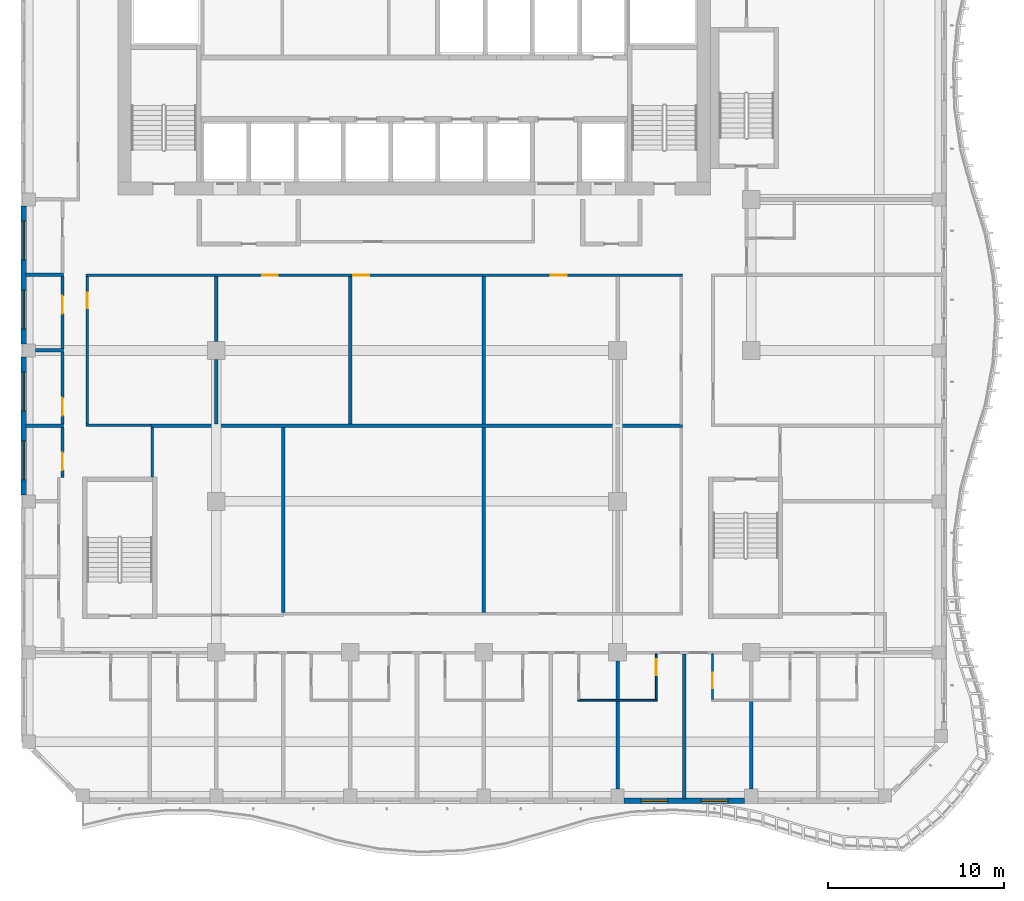
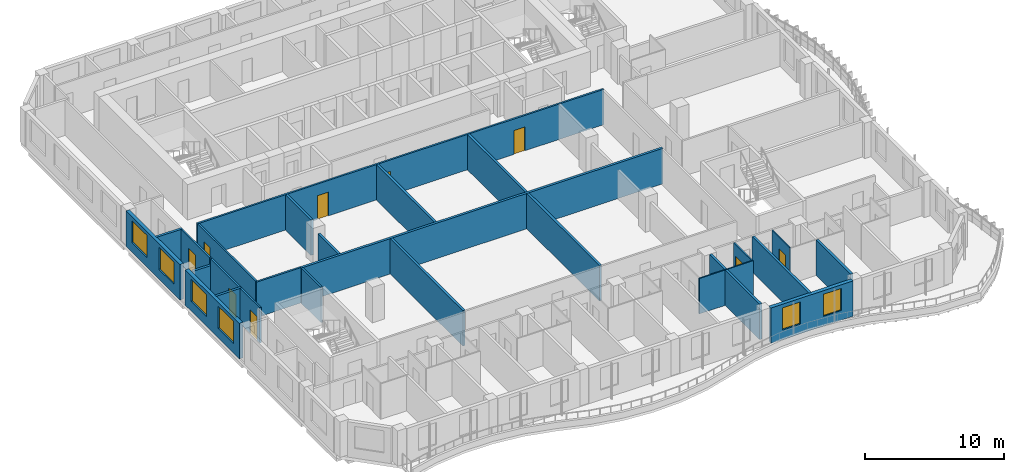
# One storey, part 4 of 23: 27 walls, 9 doors, 6 windows, 15 openings.
"""IFC4 building model written with IfcOpenShell, lengths in metres."""

from ifc_helpers import new_model, si_unit, direction, frame, frame_2d, origin, place, context, subcontext, project, spatial, rectangle, extrude, source, transform, mapped, material, layer, layer_set, type_object, element, fill, save


model = new_model("IFC4")

# Units and contexts
model_context = context("Model", 3, precision=1e-05, world=origin(), true_north=direction((0.0, 1.0)))
body_context = subcontext(model_context, "Body", "Model", "MODEL_VIEW")
ifc_project = project(units=[si_unit("LENGTHUNIT", "METRE"), si_unit("AREAUNIT", "SQUARE_METRE"), si_unit("VOLUMEUNIT", "CUBIC_METRE"), si_unit("PLANEANGLEUNIT", "RADIAN"), si_unit("MASSUNIT", "GRAM", prefix="KILO")], contexts=[model_context])

# Site, building, storey
site_placement = place(None, origin())
site = spatial("IfcSite", under=ifc_project, at=site_placement, CompositionType="ELEMENT")
building_placement = place(site_placement, origin())
building = spatial("IfcBuilding", under=site, at=building_placement, Name="Kilnfold Tower and Market Hall", CompositionType="ELEMENT")
storey_placement = place(building_placement, frame((0.0, 0.0, 203.300048828125)))
storey = spatial("IfcBuildingStorey", under=building, at=storey_placement, Name="L49", CompositionType="ELEMENT", Elevation=203.300048828125)

# Wall, opening, door
ifc_material_1 = material(Name="Gypsum board on steel studs", Category="steel")
ifc_layer_1 = layer(ifc_material_1, 0.14990234375)
ifc_layer_set_1 = layer_set([ifc_layer_1], Name="Gypsum board on steel studs")
wall_type_1 = type_object("IfcWallType", Name="WALL CORRIDOR 150", PredefinedType="PARTITIONING", material=ifc_layer_set_1)
wall_1_placement = place(storey_placement, frame((-18.89990234375, -7.757080078125, 0.0), z_axis=(0.0, 0.0, 1.0), x_axis=(0.0, 1.0, 0.0)))
wall_1 = element("IfcWall", 1, at=wall_1_placement, inside=storey, type_object=wall_type_1, Name="Partition LY30.12", PredefinedType="PARTITIONING", context=body_context, shape_type="SweptSolid", body=[
    extrude(rectangle(XDim=2.823974609375, YDim=0.14990234375, at=frame_2d((1.412109375, 0.0))), origin(), (0.0, 0.0, 1.0), 3.119873046875),
])
opening_1_placement = place(wall_1_placement, frame((0.403076171875, 0.0, 0.0)))
opening_1 = element("IfcOpeningElement", 2, at=opening_1_placement, cuts=wall_1, Name="Opening D4", PredefinedType="OPENING", context=body_context, shape_type="SweptSolid", body=[
    extrude(rectangle(XDim=1.0, YDim=2.10009765625, at=frame_2d((0.5, 1.050048828125))), frame((0.0, 0.0849609375, 0.0), z_axis=(0.0, -1.0, 0.0), x_axis=(1.0, 0.0, 0.0)), (0.0, 0.0, 1.0), 0.169921875),
])
ifc_material_2 = material(Name="Timber veneer door leaf in steel frame", Category="steel")
door_type_1 = type_object("IfcDoorType", Name="DOOR SERVICE 1000 X2100", OperationType="NOTDEFINED", PredefinedType="DOOR", material=ifc_material_2)
door_1_placement = place(opening_1_placement, origin())
door_1 = element("IfcDoor", 3, at=door_1_placement, inside=storey, type_object=door_type_1, Name="Door D4", OperationType="SINGLE_SWING_LEFT", OverallHeight=2.10009765625, OverallWidth=1.0, PredefinedType="DOOR", context=body_context, shape_type="SweptSolid", body=[
    extrude(rectangle(XDim=1.0, YDim=2.10009765625, at=frame_2d((0.5, 1.050048828125))), frame((0.0, 0.02490234375, 0.0), z_axis=(0.0, -1.0, 0.0), x_axis=(1.0, 0.0, 0.0)), (0.0, 0.0, 1.0), 0.050048828125),
])
fill(opening_1, door_1)

wall_2_placement = place(storey_placement, frame((-18.89990234375, -4.7529296875, 0.0), z_axis=(0.0, 0.0, 1.0), x_axis=(0.0, 1.0, 0.0)))
wall_2 = element("IfcWall", 4, at=wall_2_placement, inside=storey, type_object=wall_type_1, Name="Partition LY30.14", PredefinedType="PARTITIONING", context=body_context, shape_type="SweptSolid", body=[
    extrude(rectangle(XDim=4.100830078125, YDim=0.14990234375, at=frame_2d((2.05029296875, 0.0))), origin(), (0.0, 0.0, 1.0), 3.119873046875),
])
opening_2_placement = place(wall_2_placement, frame((0.5, 0.0, 0.0)))
opening_2 = element("IfcOpeningElement", 5, at=opening_2_placement, cuts=wall_2, Name="Opening D4", PredefinedType="OPENING", context=body_context, shape_type="SweptSolid", body=[
    extrude(rectangle(XDim=1.0, YDim=2.10009765625, at=frame_2d((0.5, 1.050048828125))), frame((0.0, 0.0849609375, 0.0), z_axis=(0.0, -1.0, 0.0), x_axis=(1.0, 0.0, 0.0)), (0.0, 0.0, 1.0), 0.169921875),
])
door_2_placement = place(opening_2_placement, origin())
door_2 = element("IfcDoor", 6, at=door_2_placement, inside=storey, type_object=door_type_1, Name="Door D4", OperationType="SINGLE_SWING_LEFT", OverallHeight=2.10009765625, OverallWidth=1.0, PredefinedType="DOOR", context=body_context, shape_type="SweptSolid", body=[
    extrude(rectangle(XDim=1.0, YDim=2.10009765625, at=frame_2d((0.5, 1.050048828125))), frame((0.0, 0.02490234375, 0.0), z_axis=(0.0, -1.0, 0.0), x_axis=(1.0, 0.0, 0.0)), (0.0, 0.0, 1.0), 0.050048828125),
])
fill(opening_2, door_2)

wall_3_placement = place(storey_placement, frame((-18.89990234375, -0.471923828125, 0.0), z_axis=(0.0, 0.0, 1.0), x_axis=(0.0, 1.0, 0.0)))
wall_3 = element("IfcWall", 7, at=wall_3_placement, inside=storey, type_object=wall_type_1, Name="Partition LY30.15", PredefinedType="PARTITIONING", context=body_context, shape_type="SweptSolid", body=[
    extrude(rectangle(XDim=4.100830078125, YDim=0.14990234375, at=frame_2d((2.05029296875, 0.0))), origin(), (0.0, 0.0, 1.0), 3.119873046875),
])
opening_3_placement = place(wall_3_placement, frame((2.0009765625, 0.0, 0.0)))
opening_3 = element("IfcOpeningElement", 8, at=opening_3_placement, cuts=wall_3, Name="Opening D4", PredefinedType="OPENING", context=body_context, shape_type="SweptSolid", body=[
    extrude(rectangle(XDim=1.0, YDim=2.10009765625, at=frame_2d((0.5, 1.050048828125))), frame((0.0, 0.0849609375, 0.0), z_axis=(0.0, -1.0, 0.0), x_axis=(1.0, 0.0, 0.0)), (0.0, 0.0, 1.0), 0.169921875),
])
door_3_placement = place(opening_3_placement, origin())
door_3 = element("IfcDoor", 9, at=door_3_placement, inside=storey, type_object=door_type_1, Name="Door D4", OperationType="SINGLE_SWING_RIGHT", OverallHeight=2.10009765625, OverallWidth=1.0, PredefinedType="DOOR", context=body_context, shape_type="SweptSolid", body=[
    extrude(rectangle(XDim=1.0, YDim=2.10009765625, at=frame_2d((0.5, 1.050048828125))), frame((0.0, 0.02490234375, 0.0), z_axis=(0.0, -1.0, 0.0), x_axis=(1.0, 0.0, 0.0)), (0.0, 0.0, 1.0), 0.050048828125),
])
fill(opening_3, door_3)

# Wall
wall_4_placement = place(storey_placement, frame((-17.574951171875, -4.800048828125, 0.0), z_axis=(0.0, 0.0, 1.0), x_axis=(1.0, 0.0, 0.0)))
element("IfcWall", 10, at=wall_4_placement, inside=storey, type_object=wall_type_1, Name="Partition LY30.34", PredefinedType="PARTITIONING", context=body_context, shape_type="SweptSolid", body=[
    extrude(rectangle(XDim=3.701904296875, YDim=0.14990234375, at=frame_2d((1.85107421875, 0.0))), origin(), (0.0, 0.0, 1.0), 3.119873046875),
])

# Wall, openings, doors
wall_5_placement = place(storey_placement, frame((-17.574951171875, 3.699951171875, 0.0), z_axis=(0.0, 0.0, 1.0), x_axis=(1.0, 0.0, 0.0)))
wall_5 = element("IfcWall", 11, at=wall_5_placement, inside=storey, type_object=wall_type_1, Name="Partition LY30.35", PredefinedType="PARTITIONING", context=body_context, shape_type="SweptSolid", body=[
    extrude(rectangle(XDim=33.849853515625, YDim=0.14990234375, at=frame_2d((16.9248046875, 0.0))), origin(), (0.0, 0.0, 1.0), 3.119873046875),
])
opening_4_placement = place(wall_5_placement, frame((10.0, 0.0, 0.0)))
opening_4 = element("IfcOpeningElement", 12, at=opening_4_placement, cuts=wall_5, Name="Opening D2", PredefinedType="OPENING", context=body_context, shape_type="SweptSolid", body=[
    extrude(rectangle(XDim=0.89990234375, YDim=2.10009765625, at=frame_2d((0.449951171875, 1.050048828125))), frame((0.0, 0.0849609375, 0.0), z_axis=(0.0, -1.0, 0.0), x_axis=(1.0, 0.0, 0.0)), (0.0, 0.0, 1.0), 0.169921875),
])
opening_5_placement = place(wall_5_placement, frame((15.181884765625, 0.0, 0.0)))
opening_5 = element("IfcOpeningElement", 13, at=opening_5_placement, cuts=wall_5, Name="Opening D2", PredefinedType="OPENING", context=body_context, shape_type="SweptSolid", body=[
    extrude(rectangle(XDim=0.89990234375, YDim=2.10009765625, at=frame_2d((0.449951171875, 1.050048828125))), frame((0.0, 0.0849609375, 0.0), z_axis=(0.0, -1.0, 0.0), x_axis=(1.0, 0.0, 0.0)), (0.0, 0.0, 1.0), 0.169921875),
])
opening_6_placement = place(wall_5_placement, frame((26.366943359375, 0.0, 0.0)))
opening_6 = element("IfcOpeningElement", 14, at=opening_6_placement, cuts=wall_5, Name="Opening D2", PredefinedType="OPENING", context=body_context, shape_type="SweptSolid", body=[
    extrude(rectangle(XDim=0.89990234375, YDim=2.10009765625, at=frame_2d((0.449951171875, 1.050048828125))), frame((0.0, 0.0849609375, 0.0), z_axis=(0.0, -1.0, 0.0), x_axis=(1.0, 0.0, 0.0)), (0.0, 0.0, 1.0), 0.169921875),
])
ifc_material_3 = material(Name="Timber veneer door leaf in steel frame", Category="steel")
door_type_2 = type_object("IfcDoorType", Name="DOOR ROOM 900 X2100", OperationType="NOTDEFINED", PredefinedType="DOOR", material=ifc_material_3)
door_4_placement = place(opening_4_placement, origin())
door_4 = element("IfcDoor", 15, at=door_4_placement, inside=storey, type_object=door_type_2, Name="Door D2", OperationType="SINGLE_SWING_LEFT", OverallHeight=2.10009765625, OverallWidth=0.89990234375, PredefinedType="DOOR", context=body_context, shape_type="SweptSolid", body=[
    extrude(rectangle(XDim=0.89990234375, YDim=2.10009765625, at=frame_2d((0.449951171875, 1.050048828125))), frame((0.0, 0.02490234375, 0.0), z_axis=(0.0, -1.0, 0.0), x_axis=(1.0, 0.0, 0.0)), (0.0, 0.0, 1.0), 0.050048828125),
])
fill(opening_4, door_4)
door_5_placement = place(opening_5_placement, origin())
door_5 = element("IfcDoor", 16, at=door_5_placement, inside=storey, type_object=door_type_2, Name="Door D2", OperationType="SINGLE_SWING_LEFT", OverallHeight=2.10009765625, OverallWidth=0.89990234375, PredefinedType="DOOR", context=body_context, shape_type="SweptSolid", body=[
    extrude(rectangle(XDim=0.89990234375, YDim=2.10009765625, at=frame_2d((0.449951171875, 1.050048828125))), frame((0.0, 0.02490234375, 0.0), z_axis=(0.0, -1.0, 0.0), x_axis=(1.0, 0.0, 0.0)), (0.0, 0.0, 1.0), 0.050048828125),
])
fill(opening_5, door_5)
door_6_placement = place(opening_6_placement, origin())
door_6 = element("IfcDoor", 17, at=door_6_placement, inside=storey, type_object=door_type_2, Name="Door D2", OperationType="SINGLE_SWING_LEFT", OverallHeight=2.10009765625, OverallWidth=0.89990234375, PredefinedType="DOOR", context=body_context, shape_type="SweptSolid", body=[
    extrude(rectangle(XDim=0.89990234375, YDim=2.10009765625, at=frame_2d((0.449951171875, 1.050048828125))), frame((0.0, 0.02490234375, 0.0), z_axis=(0.0, -1.0, 0.0), x_axis=(1.0, 0.0, 0.0)), (0.0, 0.0, 1.0), 0.050048828125),
])
fill(opening_6, door_6)

# Wall, opening, door
wall_6_placement = place(storey_placement, frame((-17.5, -4.72509765625, 0.0), z_axis=(0.0, 0.0, 1.0), x_axis=(0.0, 1.0, 0.0)))
wall_6 = element("IfcWall", 18, at=wall_6_placement, inside=storey, type_object=wall_type_1, Name="Partition LY30.36", PredefinedType="PARTITIONING", context=body_context, shape_type="SweptSolid", body=[
    extrude(rectangle(XDim=8.35009765625, YDim=0.14990234375, at=frame_2d((4.175048828125, 0.0))), origin(), (0.0, 0.0, 1.0), 3.119873046875),
])
opening_7_placement = place(wall_6_placement, frame((6.544921875, 0.0, 0.0)))
opening_7 = element("IfcOpeningElement", 19, at=opening_7_placement, cuts=wall_6, Name="Opening D2", PredefinedType="OPENING", context=body_context, shape_type="SweptSolid", body=[
    extrude(rectangle(XDim=0.89990234375, YDim=2.10009765625, at=frame_2d((0.449951171875, 1.050048828125))), frame((0.0, 0.0849609375, 0.0), z_axis=(0.0, -1.0, 0.0), x_axis=(1.0, 0.0, 0.0)), (0.0, 0.0, 1.0), 0.169921875),
])
door_7_placement = place(opening_7_placement, origin())
door_7 = element("IfcDoor", 20, at=door_7_placement, inside=storey, type_object=door_type_2, Name="Door D2", OperationType="SINGLE_SWING_RIGHT", OverallHeight=2.10009765625, OverallWidth=0.89990234375, PredefinedType="DOOR", context=body_context, shape_type="SweptSolid", body=[
    extrude(rectangle(XDim=0.89990234375, YDim=2.10009765625, at=frame_2d((0.449951171875, 1.050048828125))), frame((0.0, 0.02490234375, 0.0), z_axis=(0.0, -1.0, 0.0), x_axis=(1.0, 0.0, 0.0)), (0.0, 0.0, 1.0), 0.050048828125),
])
fill(opening_7, door_7)

# Walls
wall_7_placement = place(storey_placement, frame((-13.800048828125, -7.75, 0.0), z_axis=(0.0, 0.0, 1.0), x_axis=(0.0, 1.0, 0.0)))
element("IfcWall", 21, at=wall_7_placement, inside=storey, type_object=wall_type_1, Name="Partition LY30.38", PredefinedType="PARTITIONING", context=body_context, shape_type="SweptSolid", body=[
    extrude(rectangle(XDim=2.81689453125, YDim=0.14990234375, at=frame_2d((1.408447265625, 0.0))), origin(), (0.0, 0.0, 1.0), 3.119873046875),
])
ifc_material_4 = material(Name="Gypsum board on steel studs", Category="steel")
ifc_layer_2 = layer(ifc_material_4, 0.10009765625)
ifc_layer_set_2 = layer_set([ifc_layer_2], Name="Gypsum board on steel studs")
wall_type_2 = type_object("IfcWallType", Name="WALL PARTITION 100", PredefinedType="PARTITIONING", material=ifc_layer_set_2)
wall_8_placement = place(storey_placement, frame((10.3330078125, -20.402099609375, 0.0), z_axis=(0.0, 0.0, 1.0), x_axis=(1.0, 0.0, 0.0)))
element("IfcWall", 22, at=wall_8_placement, inside=storey, type_object=wall_type_2, Name="Partition LY30.66", PredefinedType="PARTITIONING", context=body_context, shape_type="SweptSolid", body=[
    extrude(rectangle(XDim=4.5, YDim=0.10009765625, at=frame_2d((2.25, 0.0))), origin(), (0.0, 0.0, 1.0), 3.119873046875),
])

# Wall, opening, door
wall_9_placement = place(storey_placement, frame((14.782958984375, -17.777099609375, 0.0), z_axis=(0.0, 0.0, 1.0), x_axis=(0.0, -1.0, 0.0)))
wall_9 = element("IfcWall", 23, at=wall_9_placement, inside=storey, type_object=wall_type_2, Name="Partition LY30.69", PredefinedType="PARTITIONING", context=body_context, shape_type="SweptSolid", body=[
    extrude(rectangle(XDim=2.574951171875, YDim=0.10009765625, at=frame_2d((1.28759765625, 0.0))), origin(), (0.0, 0.0, 1.0), 3.119873046875),
])
opening_8_placement = place(wall_9_placement, frame((0.305908203125, 0.0, 0.0)))
opening_8 = element("IfcOpeningElement", 24, at=opening_8_placement, cuts=wall_9, Name="Opening D3", PredefinedType="OPENING", context=body_context, shape_type="SweptSolid", body=[
    extrude(rectangle(XDim=0.89990234375, YDim=2.10009765625, at=frame_2d((0.449951171875, 1.050048828125))), frame((0.0, 0.06005859375, 0.0), z_axis=(0.0, -1.0, 0.0), x_axis=(1.0, 0.0, 0.0)), (0.0, 0.0, 1.0), 0.1201171875),
])
ifc_material_5 = material(Name="Timber veneer door leaf in steel frame", Category="steel")
door_type_3 = type_object("IfcDoorType", Name="DOOR WC 900 X2100", OperationType="NOTDEFINED", PredefinedType="DOOR", material=ifc_material_5)
door_8_placement = place(opening_8_placement, origin())
door_8 = element("IfcDoor", 25, at=door_8_placement, inside=storey, type_object=door_type_3, Name="Door D3", OperationType="SINGLE_SWING_RIGHT", OverallHeight=2.10009765625, OverallWidth=0.89990234375, PredefinedType="DOOR", context=body_context, shape_type="SweptSolid", body=[
    extrude(rectangle(XDim=0.89990234375, YDim=2.10009765625, at=frame_2d((0.449951171875, 1.050048828125))), frame((0.0, 0.02490234375, 0.0), z_axis=(0.0, -1.0, 0.0), x_axis=(1.0, 0.0, 0.0)), (0.0, 0.0, 1.0), 0.050048828125),
])
fill(opening_8, door_8)

wall_10_placement = place(storey_placement, frame((17.967041015625, -20.35205078125, 0.0), z_axis=(0.0, 0.0, 1.0), x_axis=(0.0, 1.0, 0.0)))
wall_10 = element("IfcWall", 26, at=wall_10_placement, inside=storey, type_object=wall_type_2, Name="Partition LY30.71", PredefinedType="PARTITIONING", context=body_context, shape_type="SweptSolid", body=[
    extrude(rectangle(XDim=2.574951171875, YDim=0.10009765625, at=frame_2d((1.28759765625, 0.0))), origin(), (0.0, 0.0, 1.0), 3.119873046875),
])
opening_9_placement = place(wall_10_placement, frame((0.625, 0.0, 0.0)))
opening_9 = element("IfcOpeningElement", 27, at=opening_9_placement, cuts=wall_10, Name="Opening D3", PredefinedType="OPENING", context=body_context, shape_type="SweptSolid", body=[
    extrude(rectangle(XDim=0.89990234375, YDim=2.10009765625, at=frame_2d((0.449951171875, 1.050048828125))), frame((0.0, 0.06005859375, 0.0), z_axis=(0.0, -1.0, 0.0), x_axis=(1.0, 0.0, 0.0)), (0.0, 0.0, 1.0), 0.1201171875),
])
door_9_placement = place(opening_9_placement, origin())
door_9 = element("IfcDoor", 28, at=door_9_placement, inside=storey, type_object=door_type_3, Name="Door D3", OperationType="SINGLE_SWING_LEFT", OverallHeight=2.10009765625, OverallWidth=0.89990234375, PredefinedType="DOOR", context=body_context, shape_type="SweptSolid", body=[
    extrude(rectangle(XDim=0.89990234375, YDim=2.10009765625, at=frame_2d((0.449951171875, 1.050048828125))), frame((0.0, 0.02490234375, 0.0), z_axis=(0.0, -1.0, 0.0), x_axis=(1.0, 0.0, 0.0)), (0.0, 0.0, 1.0), 0.050048828125),
])
fill(opening_9, door_9)

# Walls
ifc_material_6 = material(Name="Gypsum board on steel studs", Category="steel")
ifc_layer_3 = layer(ifc_material_6, 0.199951171875)
ifc_layer_set_3 = layer_set([ifc_layer_3], Name="Gypsum board on steel studs")
wall_type_3 = type_object("IfcWallType", Name="WALL PARTY 200", PredefinedType="PARTITIONING", material=ifc_layer_set_3)
wall_11_placement = place(storey_placement, frame((12.5830078125, -25.425048828125, 0.0), z_axis=(0.0, 0.0, 1.0), x_axis=(0.0, 1.0, 0.0)))
element("IfcWall", 29, at=wall_11_placement, inside=storey, type_object=wall_type_3, Name="Partition LY30.67", PredefinedType="PARTITIONING", context=body_context, shape_type="SweptSolid", body=[
    extrude(rectangle(XDim=4.97314453125, YDim=0.199951171875, at=frame_2d((2.486572265625, 0.0))), origin(), (0.0, 0.0, 1.0), 3.119873046875),
])
wall_12_placement = place(storey_placement, frame((12.5830078125, -20.35205078125, 0.0), z_axis=(0.0, 0.0, 1.0), x_axis=(0.0, 1.0, 0.0)))
element("IfcWall", 30, at=wall_12_placement, inside=storey, type_object=wall_type_3, Name="Partition LY30.68", PredefinedType="PARTITIONING", context=body_context, shape_type="SweptSolid", body=[
    extrude(rectangle(XDim=2.1640625, YDim=0.199951171875, at=frame_2d((1.08203125, 0.0))), origin(), (0.0, 0.0, 1.0), 3.119873046875),
])
wall_13_placement = place(storey_placement, frame((16.375, -26.0, 0.0), z_axis=(0.0, 0.0, 1.0), x_axis=(0.0, 1.0, 0.0)))
element("IfcWall", 31, at=wall_13_placement, inside=storey, type_object=wall_type_3, Name="Partition LY30.70", PredefinedType="PARTITIONING", context=body_context, shape_type="SweptSolid", body=[
    extrude(rectangle(XDim=8.222900390625, YDim=0.199951171875, at=frame_2d((4.111328125, 0.0))), origin(), (0.0, 0.0, 1.0), 3.119873046875),
])
wall_14_placement = place(storey_placement, frame((20.1669921875, -25.425048828125, 0.0), z_axis=(0.0, 0.0, 1.0), x_axis=(0.0, 1.0, 0.0)))
element("IfcWall", 32, at=wall_14_placement, inside=storey, type_object=wall_type_3, Name="Partition LY30.73", PredefinedType="PARTITIONING", context=body_context, shape_type="SweptSolid", body=[
    extrude(rectangle(XDim=4.97314453125, YDim=0.199951171875, at=frame_2d((2.486572265625, 0.0))), origin(), (0.0, 0.0, 1.0), 3.119873046875),
])
wall_15_placement = place(storey_placement, frame((-21.0, -4.843017578125, 0.0), z_axis=(0.0, 0.0, 1.0), x_axis=(1.0, 0.0, 0.0)))
element("IfcWall", 33, at=wall_15_placement, inside=storey, type_object=wall_type_3, Name="Partition LY30.85", PredefinedType="PARTITIONING", context=body_context, shape_type="SweptSolid", body=[
    extrude(rectangle(XDim=2.173095703125, YDim=0.199951171875, at=frame_2d((1.08642578125, 0.0))), origin(), (0.0, 0.0, 1.0), 3.119873046875),
])
wall_16_placement = place(storey_placement, frame((-18.826904296875, -0.56201171875, 0.0), z_axis=(0.0, 0.0, 1.0), x_axis=(-1.0, 0.0, 0.0)))
element("IfcWall", 34, at=wall_16_placement, inside=storey, type_object=wall_type_3, Name="Partition LY30.86", PredefinedType="PARTITIONING", context=body_context, shape_type="SweptSolid", body=[
    extrude(rectangle(XDim=1.59814453125, YDim=0.199951171875, at=frame_2d((0.799072265625, 0.0))), origin(), (0.0, 0.0, 1.0), 2.52001953125),
])
wall_17_placement = place(storey_placement, frame((-21.0, 3.718994140625, 0.0), z_axis=(0.0, 0.0, 1.0), x_axis=(1.0, 0.0, 0.0)))
element("IfcWall", 35, at=wall_17_placement, inside=storey, type_object=wall_type_3, Name="Partition LY30.87", PredefinedType="PARTITIONING", context=body_context, shape_type="SweptSolid", body=[
    extrude(rectangle(XDim=2.173095703125, YDim=0.199951171875, at=frame_2d((1.08642578125, 0.0))), origin(), (0.0, 0.0, 1.0), 3.119873046875),
])
wall_18_placement = place(storey_placement, frame((-10.1669921875, -0.06201171875, 0.0), z_axis=(0.0, 0.0, 1.0), x_axis=(0.0, 1.0, 0.0)))
element("IfcWall", 36, at=wall_18_placement, inside=storey, type_object=wall_type_3, Name="Partition LY30.110", PredefinedType="PARTITIONING", context=body_context, shape_type="SweptSolid", body=[
    extrude(rectangle(XDim=3.68505859375, YDim=0.199951171875, at=frame_2d((1.842529296875, 0.0))), origin(), (0.0, 0.0, 1.0), 3.119873046875),
])
wall_19_placement = place(storey_placement, frame((-10.1669921875, -4.742919921875, 0.0), z_axis=(0.0, 0.0, 1.0), x_axis=(0.0, 1.0, 0.0)))
element("IfcWall", 37, at=wall_19_placement, inside=storey, type_object=wall_type_3, Name="Partition LY30.111", PredefinedType="PARTITIONING", context=body_context, shape_type="SweptSolid", body=[
    extrude(rectangle(XDim=3.680908203125, YDim=0.199951171875, at=frame_2d((1.84033203125, 0.0))), origin(), (0.0, 0.0, 1.0), 2.52001953125),
])
wall_20_placement = place(storey_placement, frame((-13.873046875, -4.843017578125, 0.0), z_axis=(0.0, 0.0, 1.0), x_axis=(1.0, 0.0, 0.0)))
element("IfcWall", 38, at=wall_20_placement, inside=storey, type_object=wall_type_3, Name="Partition LY30.112", PredefinedType="PARTITIONING", context=body_context, shape_type="SweptSolid", body=[
    extrude(rectangle(XDim=30.14599609375, YDim=0.199951171875, at=frame_2d((15.072998046875, 0.0))), origin(), (0.0, 0.0, 1.0), 3.119873046875),
])
for number, where, z_axis, x_axis, name in (
    (39, (-2.5830078125, -4.742919921875, 0.0), (0.0, 0.0, 1.0), (0.0, 1.0, 0.0), "Partition LY30.113"),
    (40, (5.0, -4.742919921875, 0.0), (0.0, 0.0, 1.0), (0.0, 1.0, 0.0), "Partition LY30.114"),
):
    element("IfcWall", number, at=place(storey_placement, frame(where, z_axis=z_axis, x_axis=x_axis)), inside=storey, type_object=wall_type_3, Name=name, PredefinedType="PARTITIONING", context=body_context, shape_type="SweptSolid", body=[
        extrude(rectangle(XDim=8.365966796875, YDim=0.199951171875, at=frame_2d((4.18310546875, 0.0))), origin(), (0.0, 0.0, 1.0), 3.119873046875),
    ])
for number, where, z_axis, x_axis, name in (
    (41, (-6.375, -15.423095703125, 0.0), (0.0, 0.0, 1.0), (0.0, 1.0, 0.0), "Partition LY30.117"),
    (42, (5.0, -15.423095703125, 0.0), (0.0, 0.0, 1.0), (0.0, 1.0, 0.0), "Partition LY30.118"),
):
    element("IfcWall", number, at=place(storey_placement, frame(where, z_axis=z_axis, x_axis=x_axis)), inside=storey, type_object=wall_type_3, Name=name, PredefinedType="PARTITIONING", context=body_context, shape_type="SweptSolid", body=[
        extrude(rectangle(XDim=10.47998046875, YDim=0.199951171875, at=frame_2d((5.239990234375, 0.0))), origin(), (0.0, 0.0, 1.0), 3.119873046875),
    ])

# Wall, openings, windows
ifc_material_7 = material(Name="Precast concrete C50/60", Category="concrete")
ifc_layer_4 = layer(ifc_material_7, 0.300048828125)
ifc_layer_set_4 = layer_set([ifc_layer_4], Name="Precast concrete C50/60")
wall_type_4 = type_object("IfcWallType", Name="PRECAST WALL 300", PredefinedType="SOLIDWALL", material=ifc_layer_set_4)
shared_shape_1 = source(origin(), body_context, "Body", "SweptSolid", [
    extrude(rectangle(XDim=6.83349609375, YDim=0.300048828125, at=frame_2d((3.416748046875, 0.0))), origin(), (0.0, 0.0, 1.0), 3.119873046875),
])
wall_21_placement = place(storey_placement, frame((12.958251953125, -26.10009765625, 0.0), z_axis=(0.0, 0.0, 1.0), x_axis=(1.0, 0.0, 0.0)))
wall_21 = element("IfcWall", 43, at=wall_21_placement, inside=storey, type_object=wall_type_4, Name="External wall L49 S", PredefinedType="SOLIDWALL", context=body_context, shape_type="MappedRepresentation", body=[
    mapped(shared_shape_1, transform((0.0, 0.0, 0.0))),
])
opening_10_placement = place(wall_21_placement, frame((0.958251953125, 0.0, 0.85009765625)))
opening_10 = element("IfcOpeningElement", 44, at=opening_10_placement, cuts=wall_21, Name="Opening W4", PredefinedType="OPENING", context=body_context, shape_type="SweptSolid", body=[
    extrude(rectangle(XDim=1.5, YDim=1.949951171875, at=frame_2d((0.75, 0.97509765625))), frame((0.0, 0.16015625, 0.0), z_axis=(0.0, -1.0, 0.0), x_axis=(1.0, 0.0, 0.0)), (0.0, 0.0, 1.0), 0.320068359375),
])
opening_11_placement = place(wall_21_placement, frame((4.375, 0.0, 0.85009765625)))
opening_11 = element("IfcOpeningElement", 45, at=opening_11_placement, cuts=wall_21, Name="Opening W4", PredefinedType="OPENING", context=body_context, shape_type="SweptSolid", body=[
    extrude(rectangle(XDim=1.5, YDim=1.949951171875, at=frame_2d((0.75, 0.97509765625))), frame((0.0, 0.16015625, 0.0), z_axis=(0.0, -1.0, 0.0), x_axis=(1.0, 0.0, 0.0)), (0.0, 0.0, 1.0), 0.320068359375),
])
ifc_material_8 = material(Name="Aluminium frame and double glazing", Category="aluminium")
window_type_1 = type_object("IfcWindowType", Name="WINDOW W4 1500X1950", PartitioningType="SINGLE_PANEL", PredefinedType="WINDOW", material=ifc_material_8)
window_1_placement = place(opening_10_placement, origin())
window_1 = element("IfcWindow", 46, at=window_1_placement, inside=storey, type_object=window_type_1, Name="Window W4 L49 S-1", OverallHeight=1.949951171875, OverallWidth=1.5, PartitioningType="SINGLE_PANEL", PredefinedType="WINDOW", context=body_context, shape_type="SweptSolid", body=[
    extrude(rectangle(XDim=1.5, YDim=1.949951171875, at=frame_2d((0.75, 0.97509765625))), frame((0.0, 0.030029296875, 0.0), z_axis=(0.0, -1.0, 0.0), x_axis=(1.0, 0.0, 0.0)), (0.0, 0.0, 1.0), 0.06005859375),
])
fill(opening_10, window_1)
window_2_placement = place(opening_11_placement, origin())
window_2 = element("IfcWindow", 47, at=window_2_placement, inside=storey, type_object=window_type_1, Name="Window W4 L49 S-2", OverallHeight=1.949951171875, OverallWidth=1.5, PartitioningType="SINGLE_PANEL", PredefinedType="WINDOW", context=body_context, shape_type="SweptSolid", body=[
    extrude(rectangle(XDim=1.5, YDim=1.949951171875, at=frame_2d((0.75, 0.97509765625))), frame((0.0, 0.030029296875, 0.0), z_axis=(0.0, -1.0, 0.0), x_axis=(1.0, 0.0, 0.0)), (0.0, 0.0, 1.0), 0.06005859375),
])
fill(opening_11, window_2)

shared_shape_2 = source(origin(), body_context, "Body", "SweptSolid", [
    extrude(rectangle(XDim=7.8125, YDim=0.300048828125, at=frame_2d((3.90625, 0.0))), origin(), (0.0, 0.0, 1.0), 3.119873046875),
])
wall_22_placement = place(storey_placement, frame((-21.10009765625, 7.625, 0.0), z_axis=(0.0, 0.0, 1.0), x_axis=(0.0, -1.0, 0.0)))
wall_22 = element("IfcWall", 48, at=wall_22_placement, inside=storey, type_object=wall_type_4, Name="External wall L49 W", PredefinedType="SOLIDWALL", context=body_context, shape_type="MappedRepresentation", body=[
    mapped(shared_shape_2, transform((0.0, 0.0, 0.0))),
])
opening_12_placement = place(wall_22_placement, frame((0.85302734375, 0.0, 0.85009765625)))
opening_12 = element("IfcOpeningElement", 49, at=opening_12_placement, cuts=wall_22, Name="Opening W2", PredefinedType="OPENING", context=body_context, shape_type="SweptSolid", body=[
    extrude(rectangle(XDim=2.199951171875, YDim=1.949951171875, at=frame_2d((1.10009765625, 0.97509765625))), frame((0.0, 0.16015625, 0.0), z_axis=(0.0, -1.0, 0.0), x_axis=(1.0, 0.0, 0.0)), (0.0, 0.0, 1.0), 0.320068359375),
])
opening_13_placement = place(wall_22_placement, frame((4.75927734375, 0.0, 0.85009765625)))
opening_13 = element("IfcOpeningElement", 50, at=opening_13_placement, cuts=wall_22, Name="Opening W2", PredefinedType="OPENING", context=body_context, shape_type="SweptSolid", body=[
    extrude(rectangle(XDim=2.199951171875, YDim=1.949951171875, at=frame_2d((1.10009765625, 0.97509765625))), frame((0.0, 0.16015625, 0.0), z_axis=(0.0, -1.0, 0.0), x_axis=(1.0, 0.0, 0.0)), (0.0, 0.0, 1.0), 0.320068359375),
])
ifc_material_9 = material(Name="Aluminium frame and double glazing", Category="aluminium")
window_type_2 = type_object("IfcWindowType", Name="WINDOW W2 2200X1950", PartitioningType="SINGLE_PANEL", PredefinedType="WINDOW", material=ifc_material_9)
window_3_placement = place(opening_12_placement, origin())
window_3 = element("IfcWindow", 51, at=window_3_placement, inside=storey, type_object=window_type_2, Name="Window W2 L49 W-1", OverallHeight=1.949951171875, OverallWidth=2.199951171875, PartitioningType="SINGLE_PANEL", PredefinedType="WINDOW", context=body_context, shape_type="SweptSolid", body=[
    extrude(rectangle(XDim=2.199951171875, YDim=1.949951171875, at=frame_2d((1.10009765625, 0.97509765625))), frame((0.0, 0.030029296875, 0.0), z_axis=(0.0, -1.0, 0.0), x_axis=(1.0, 0.0, 0.0)), (0.0, 0.0, 1.0), 0.06005859375),
])
fill(opening_12, window_3)
window_4_placement = place(opening_13_placement, origin())
window_4 = element("IfcWindow", 52, at=window_4_placement, inside=storey, type_object=window_type_2, Name="Window W2 L49 W-2", OverallHeight=1.949951171875, OverallWidth=2.199951171875, PartitioningType="SINGLE_PANEL", PredefinedType="WINDOW", context=body_context, shape_type="SweptSolid", body=[
    extrude(rectangle(XDim=2.199951171875, YDim=1.949951171875, at=frame_2d((1.10009765625, 0.97509765625))), frame((0.0, 0.030029296875, 0.0), z_axis=(0.0, -1.0, 0.0), x_axis=(1.0, 0.0, 0.0)), (0.0, 0.0, 1.0), 0.06005859375),
])
fill(opening_13, window_4)

wall_23_placement = place(storey_placement, frame((-21.10009765625, -0.9375, 0.0), z_axis=(0.0, 0.0, 1.0), x_axis=(0.0, -1.0, 0.0)))
wall_23 = element("IfcWall", 53, at=wall_23_placement, inside=storey, type_object=wall_type_4, Name="External wall L49 W", PredefinedType="SOLIDWALL", context=body_context, shape_type="MappedRepresentation", body=[
    mapped(shared_shape_2, transform((0.0, 0.0, 0.0))),
])
opening_14_placement = place(wall_23_placement, frame((0.853271484375, 0.0, 0.85009765625)))
opening_14 = element("IfcOpeningElement", 54, at=opening_14_placement, cuts=wall_23, Name="Opening W2", PredefinedType="OPENING", context=body_context, shape_type="SweptSolid", body=[
    extrude(rectangle(XDim=2.199951171875, YDim=1.949951171875, at=frame_2d((1.10009765625, 0.97509765625))), frame((0.0, 0.16015625, 0.0), z_axis=(0.0, -1.0, 0.0), x_axis=(1.0, 0.0, 0.0)), (0.0, 0.0, 1.0), 0.320068359375),
])
opening_15_placement = place(wall_23_placement, frame((4.759521484375, 0.0, 0.85009765625)))
opening_15 = element("IfcOpeningElement", 55, at=opening_15_placement, cuts=wall_23, Name="Opening W2", PredefinedType="OPENING", context=body_context, shape_type="SweptSolid", body=[
    extrude(rectangle(XDim=2.199951171875, YDim=1.949951171875, at=frame_2d((1.10009765625, 0.97509765625))), frame((0.0, 0.16015625, 0.0), z_axis=(0.0, -1.0, 0.0), x_axis=(1.0, 0.0, 0.0)), (0.0, 0.0, 1.0), 0.320068359375),
])
window_5_placement = place(opening_14_placement, origin())
window_5 = element("IfcWindow", 56, at=window_5_placement, inside=storey, type_object=window_type_2, Name="Window W2 L49 W-1", OverallHeight=1.949951171875, OverallWidth=2.199951171875, PartitioningType="SINGLE_PANEL", PredefinedType="WINDOW", context=body_context, shape_type="SweptSolid", body=[
    extrude(rectangle(XDim=2.199951171875, YDim=1.949951171875, at=frame_2d((1.10009765625, 0.97509765625))), frame((0.0, 0.030029296875, 0.0), z_axis=(0.0, -1.0, 0.0), x_axis=(1.0, 0.0, 0.0)), (0.0, 0.0, 1.0), 0.06005859375),
])
fill(opening_14, window_5)
window_6_placement = place(opening_15_placement, origin())
window_6 = element("IfcWindow", 57, at=window_6_placement, inside=storey, type_object=window_type_2, Name="Window W2 L49 W-2", OverallHeight=1.949951171875, OverallWidth=2.199951171875, PartitioningType="SINGLE_PANEL", PredefinedType="WINDOW", context=body_context, shape_type="SweptSolid", body=[
    extrude(rectangle(XDim=2.199951171875, YDim=1.949951171875, at=frame_2d((1.10009765625, 0.97509765625))), frame((0.0, 0.030029296875, 0.0), z_axis=(0.0, -1.0, 0.0), x_axis=(1.0, 0.0, 0.0)), (0.0, 0.0, 1.0), 0.06005859375),
])
fill(opening_15, window_6)

save(model, "model.ifc")
